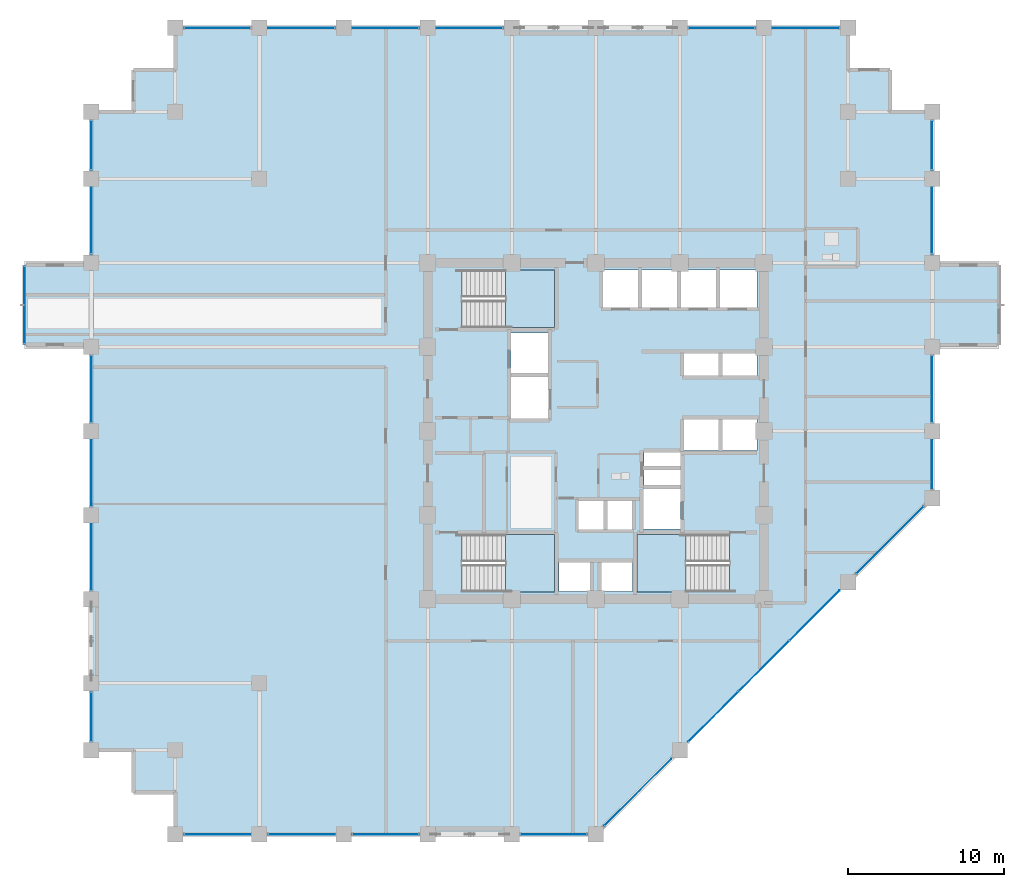
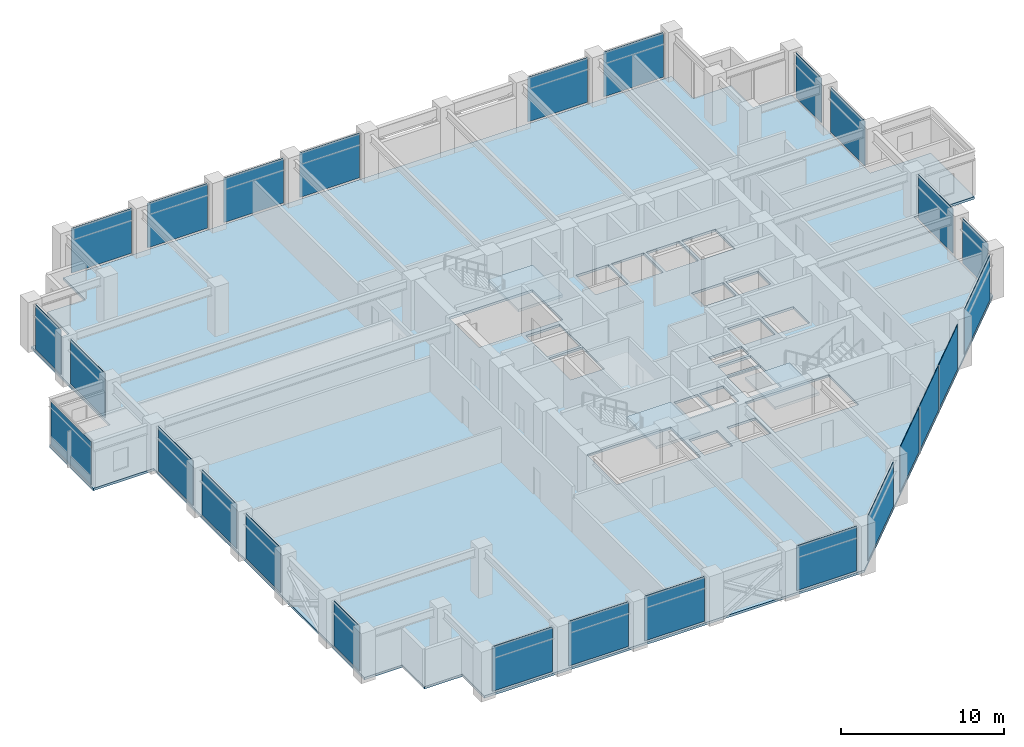
# One storey, part 20 of 29: 26 plates, 4 slabs, 14 elements without a shape of their own.
"""IFC4 building model written with IfcOpenShell, lengths in metres."""

from ifc_helpers import new_model, si_unit, direction, frame, frame_2d, origin, place, context, subcontext, project, spatial, polyline, rectangle, outline, extrude, material, layer, layer_set, type_object, element, aggregate, save


model = new_model("IFC4")

# Units and contexts
model_context = context("Model", 3, precision=1e-05, world=origin(), true_north=direction((0.0, 1.0)))
body_context = subcontext(model_context, "Body", "Model", "MODEL_VIEW")
ifc_project = project(units=[si_unit("LENGTHUNIT", "METRE"), si_unit("AREAUNIT", "SQUARE_METRE"), si_unit("VOLUMEUNIT", "CUBIC_METRE"), si_unit("PLANEANGLEUNIT", "RADIAN"), si_unit("MASSUNIT", "GRAM", prefix="KILO")], contexts=[model_context])

# Site, building, storey
site_placement = place(None, origin())
site = spatial("IfcSite", under=ifc_project, at=site_placement, CompositionType="ELEMENT")
building_placement = place(site_placement, origin())
building = spatial("IfcBuilding", under=site, at=building_placement, Name="Surkhivell Harbour Commons", CompositionType="ELEMENT")
storey_placement = place(building_placement, frame((0.0, 0.0, 158.25)))
storey = spatial("IfcBuildingStorey", under=building, at=storey_placement, Name="L41", CompositionType="ELEMENT", Elevation=158.25)

# Curtain wall, plate
ifc_material_1 = material(Name="Anodised pale-metal aluminium and insulated glazing", Category="aluminium")
ifc_layer_1 = layer(ifc_material_1, 0.1650390625)
ifc_layer_set_1 = layer_set([ifc_layer_1], Name="Anodised pale-metal aluminium and insulated glazing")
curtain_wall_type_1 = type_object("IfcCurtainWallType", Name="CW-SYS-BOX", PredefinedType="NOTDEFINED", material=ifc_layer_set_1)
curtain_wall_1_placement = place(storey_placement, origin())
curtain_wall_1 = element("IfcCurtainWall", 1, at=curtain_wall_1_placement, inside=storey, type_object=curtain_wall_type_1, Name="L41 Curtain Wall CW-L41-BOX02", PredefinedType="NOTDEFINED")
ifc_material_2 = material(Name="Triple-glazed bay-cluster vision glass", Category="glass")
ifc_layer_2 = layer(ifc_material_2, 0.028076171875)
ifc_layer_set_2 = layer_set([ifc_layer_2], Name="Triple-glazed bay-cluster vision glass")
plate_type_1 = type_object("IfcPlateType", Name="CWP-GLZ-28", PredefinedType="CURTAIN_PANEL", material=ifc_layer_set_2)
plate_1_placement = place(storey_placement, frame((-36.699951171875, 5.6201171875, 0.1298828125), z_axis=(0.0, 0.0, 1.0), x_axis=(0.0, 1.0, 0.0)))
plate_1 = element("IfcPlate", 2, at=plate_1_placement, type_object=plate_type_1, Name="CW-BOX panel 1.1", PredefinedType="CURTAIN_PANEL", context=body_context, shape_type="SweptSolid", body=[
    extrude(rectangle(XDim=4.9599609375, YDim=0.028076171875, at=frame_2d((2.47998046875, 0.0))), origin(), (0.0, 0.0, 1.0), 3.240234375),
])
aggregate(curtain_wall_1, [plate_1])

# Curtain wall, plates
ifc_layer_3 = layer(ifc_material_1, 0.205078125)
ifc_layer_set_3 = layer_set([ifc_layer_3], Name="Anodised pale-metal aluminium and insulated glazing")
curtain_wall_type_2 = type_object("IfcCurtainWallType", Name="CW-SYS-Z2", PredefinedType="NOTDEFINED", material=ifc_layer_set_3)
curtain_wall_2_placement = place(storey_placement, origin())
curtain_wall_2 = element("IfcCurtainWall", 3, at=curtain_wall_2_placement, inside=storey, type_object=curtain_wall_type_2, Name="L41 Curtain Wall CW-L41-E00S1", PredefinedType="NOTDEFINED")
ifc_material_3 = material(Name="High-pressure typhoon laminated vision glass", Category="glass")
ifc_layer_4 = layer(ifc_material_3, 0.035888671875)
ifc_layer_set_4 = layer_set([ifc_layer_4], Name="High-pressure typhoon laminated vision glass")
plate_type_2 = type_object("IfcPlateType", Name="CWP-GLZ-36", PredefinedType="CURTAIN_PANEL", material=ifc_layer_set_4)
plate_2_placement = place(storey_placement, frame((-26.423095703125, -25.89990234375, 0.14990234375), z_axis=(0.0, 0.0, 1.0), x_axis=(1.0, 0.0, 0.0)))
plate_2 = element("IfcPlate", 4, at=plate_2_placement, type_object=plate_type_2, Name="CW-Z2 panel 1.1", PredefinedType="CURTAIN_PANEL", context=body_context, shape_type="SweptSolid", body=[
    extrude(rectangle(XDim=4.24609375, YDim=0.035888671875, at=frame_2d((2.123046875, 0.0))), origin(), (0.0, 0.0, 1.0), 3.35009765625),
])
plate_3_placement = place(storey_placement, frame((-21.02294921875, -25.89990234375, 0.14990234375), z_axis=(0.0, 0.0, 1.0), x_axis=(1.0, 0.0, 0.0)))
plate_3 = element("IfcPlate", 5, at=plate_3_placement, type_object=plate_type_2, Name="CW-Z2 panel 2.1", PredefinedType="CURTAIN_PANEL", context=body_context, shape_type="SweptSolid", body=[
    extrude(rectangle(XDim=4.245849609375, YDim=0.035888671875, at=frame_2d((2.123046875, 0.0))), origin(), (0.0, 0.0, 1.0), 3.35009765625),
])
plate_4_placement = place(storey_placement, frame((-15.623046875, -25.89990234375, 0.14990234375), z_axis=(0.0, 0.0, 1.0), x_axis=(1.0, 0.0, 0.0)))
plate_4 = element("IfcPlate", 6, at=plate_4_placement, type_object=plate_type_2, Name="CW-Z2 panel 3.1", PredefinedType="CURTAIN_PANEL", context=body_context, shape_type="SweptSolid", body=[
    extrude(rectangle(XDim=4.24609375, YDim=0.035888671875, at=frame_2d((2.123046875, 0.0))), origin(), (0.0, 0.0, 1.0), 3.35009765625),
])
aggregate(curtain_wall_2, [plate_2, plate_3, plate_4])

# Curtain wall, plate
curtain_wall_3_placement = place(storey_placement, origin())
curtain_wall_3 = element("IfcCurtainWall", 7, at=curtain_wall_3_placement, inside=storey, type_object=curtain_wall_type_2, Name="L41 Curtain Wall CW-L41-E00S2", PredefinedType="NOTDEFINED")
plate_5_placement = place(storey_placement, frame((-4.822998046875, -25.89990234375, 0.14990234375), z_axis=(0.0, 0.0, 1.0), x_axis=(1.0, 0.0, 0.0)))
plate_5 = element("IfcPlate", 8, at=plate_5_placement, type_object=plate_type_2, Name="CW-Z2 panel 1.1", PredefinedType="CURTAIN_PANEL", context=body_context, shape_type="SweptSolid", body=[
    extrude(rectangle(XDim=4.24609375, YDim=0.035888671875, at=frame_2d((2.123046875, 0.0))), origin(), (0.0, 0.0, 1.0), 3.35009765625),
])
aggregate(curtain_wall_3, [plate_5])

# Curtain wall, plates
curtain_wall_4_placement = place(storey_placement, origin())
curtain_wall_4 = element("IfcCurtainWall", 9, at=curtain_wall_4_placement, inside=storey, type_object=curtain_wall_type_2, Name="L41 Curtain Wall CW-L41-E01", PredefinedType="NOTDEFINED")
plate_6_placement = place(storey_placement, frame((0.5546875, -25.34521484375, 0.14990234375), z_axis=(0.0, 0.0, 1.0), x_axis=(0.707106781187, 0.707106781187, 0.0)))
plate_6 = element("IfcPlate", 10, at=plate_6_placement, type_object=plate_type_2, Name="CW-Z2 panel 1.1", PredefinedType="CURTAIN_PANEL", context=body_context, shape_type="SweptSolid", body=[
    extrude(rectangle(XDim=6.067626953125, YDim=0.035888671875, at=frame_2d((3.03369140625, 0.0))), origin(), (0.0, 0.0, 1.0), 3.35009765625),
])
plate_7_placement = place(storey_placement, frame((5.954833984375, -19.9453125, 0.14990234375), z_axis=(0.0, 0.0, 1.0), x_axis=(0.707079687416, 0.707133873919, 0.0)))
plate_7 = element("IfcPlate", 11, at=plate_7_placement, type_object=plate_type_2, Name="CW-Z2 panel 2.1", PredefinedType="CURTAIN_PANEL", context=body_context, shape_type="SweptSolid", body=[
    extrude(rectangle(XDim=4.505615234375, YDim=0.035888671875, at=frame_2d((2.2529296875, 0.0))), origin(), (0.0, 0.0, 1.0), 3.35009765625),
])
plate_8_placement = place(storey_placement, frame((9.19384765625, -16.706298828125, 0.14990234375), z_axis=(0.0, 0.0, 1.0), x_axis=(0.707079911854, 0.707133649498, 0.0)))
plate_8 = element("IfcPlate", 12, at=plate_8_placement, type_object=plate_type_2, Name="CW-Z2 panel 3.1", PredefinedType="CURTAIN_PANEL", context=body_context, shape_type="SweptSolid", body=[
    extrude(rectangle(XDim=4.543212890625, YDim=0.035888671875, at=frame_2d((2.271484375, 0.0))), origin(), (0.0, 0.0, 1.0), 3.35009765625),
])
plate_9_placement = place(storey_placement, frame((12.459228515625, -13.440673828125, 0.14990234375), z_axis=(0.0, 0.0, 1.0), x_axis=(0.707106781187, 0.707106781187, 0.0)))
plate_9 = element("IfcPlate", 13, at=plate_9_placement, type_object=plate_type_2, Name="CW-Z2 panel 4.1", PredefinedType="CURTAIN_PANEL", context=body_context, shape_type="SweptSolid", body=[
    extrude(rectangle(XDim=4.505615234375, YDim=0.035888671875, at=frame_2d((2.2529296875, 0.0))), origin(), (0.0, 0.0, 1.0), 3.35009765625),
])
plate_10_placement = place(storey_placement, frame((16.754638671875, -9.145263671875, 0.14990234375), z_axis=(0.0, 0.0, 1.0), x_axis=(0.707106781187, 0.707106781187, 0.0)))
plate_10 = element("IfcPlate", 14, at=plate_10_placement, type_object=plate_type_2, Name="CW-Z2 panel 5.1", PredefinedType="CURTAIN_PANEL", context=body_context, shape_type="SweptSolid", body=[
    extrude(rectangle(XDim=6.067626953125, YDim=0.035888671875, at=frame_2d((3.03369140625, 0.0))), origin(), (0.0, 0.0, 1.0), 3.35009765625),
])
aggregate(curtain_wall_4, [plate_6, plate_7, plate_8, plate_9, plate_10])

curtain_wall_5_placement = place(storey_placement, origin())
curtain_wall_5 = element("IfcCurtainWall", 15, at=curtain_wall_5_placement, inside=storey, type_object=curtain_wall_type_2, Name="L41 Curtain Wall CW-L41-E02R1", PredefinedType="NOTDEFINED")
plate_11_placement = place(storey_placement, frame((21.60009765625, -3.722900390625, 0.14990234375), z_axis=(0.0, 0.0, 1.0), x_axis=(0.0, 1.0, 0.0)))
plate_11 = element("IfcPlate", 16, at=plate_11_placement, type_object=plate_type_2, Name="CW-Z2 panel 1.1", PredefinedType="CURTAIN_PANEL", context=body_context, shape_type="SweptSolid", body=[
    extrude(rectangle(XDim=3.14599609375, YDim=0.035888671875, at=frame_2d((1.572998046875, 0.0))), origin(), (0.0, 0.0, 1.0), 3.35009765625),
])
plate_12_placement = place(storey_placement, frame((21.60009765625, 0.576904296875, 0.14990234375), z_axis=(0.0, 0.0, 1.0), x_axis=(0.0, 1.0, 0.0)))
plate_12 = element("IfcPlate", 17, at=plate_12_placement, type_object=plate_type_2, Name="CW-Z2 panel 2.1", PredefinedType="CURTAIN_PANEL", context=body_context, shape_type="SweptSolid", body=[
    extrude(rectangle(XDim=4.24609375, YDim=0.035888671875, at=frame_2d((2.123046875, 0.0))), origin(), (0.0, 0.0, 1.0), 3.35009765625),
])
aggregate(curtain_wall_5, [plate_11, plate_12])

curtain_wall_6_placement = place(storey_placement, origin())
curtain_wall_6 = element("IfcCurtainWall", 18, at=curtain_wall_6_placement, inside=storey, type_object=curtain_wall_type_2, Name="L41 Curtain Wall CW-L41-E02R2", PredefinedType="NOTDEFINED")
plate_13_placement = place(storey_placement, frame((21.60009765625, 11.376953125, 0.14990234375), z_axis=(0.0, 0.0, 1.0), x_axis=(0.0, 1.0, 0.0)))
plate_13 = element("IfcPlate", 19, at=plate_13_placement, type_object=plate_type_2, Name="CW-Z2 panel 1.1", PredefinedType="CURTAIN_PANEL", context=body_context, shape_type="SweptSolid", body=[
    extrude(rectangle(XDim=4.24609375, YDim=0.035888671875, at=frame_2d((2.123046875, 0.0))), origin(), (0.0, 0.0, 1.0), 3.35009765625),
])
plate_14_placement = place(storey_placement, frame((21.60009765625, 16.777099609375, 0.14990234375), z_axis=(0.0, 0.0, 1.0), x_axis=(0.0, 1.0, 0.0)))
plate_14 = element("IfcPlate", 20, at=plate_14_placement, type_object=plate_type_2, Name="CW-Z2 panel 2.1", PredefinedType="CURTAIN_PANEL", context=body_context, shape_type="SweptSolid", body=[
    extrude(rectangle(XDim=3.14599609375, YDim=0.035888671875, at=frame_2d((1.572998046875, 0.0))), origin(), (0.0, 0.0, 1.0), 3.35009765625),
])
aggregate(curtain_wall_6, [plate_13, plate_14])

curtain_wall_7_placement = place(storey_placement, origin())
curtain_wall_7 = element("IfcCurtainWall", 21, at=curtain_wall_7_placement, inside=storey, type_object=curtain_wall_type_2, Name="L41 Curtain Wall CW-L41-E07S1", PredefinedType="NOTDEFINED")
plate_15_placement = place(storey_placement, frame((15.623046875, 25.89990234375, 0.14990234375), z_axis=(0.0, 0.0, 1.0), x_axis=(-1.0, 0.0, 0.0)))
plate_15 = element("IfcPlate", 22, at=plate_15_placement, type_object=plate_type_2, Name="CW-Z2 panel 1.1", PredefinedType="CURTAIN_PANEL", context=body_context, shape_type="SweptSolid", body=[
    extrude(rectangle(XDim=4.24609375, YDim=0.035888671875, at=frame_2d((2.123046875, 0.0))), origin(), (0.0, 0.0, 1.0), 3.35009765625),
])
plate_16_placement = place(storey_placement, frame((10.222900390625, 25.89990234375, 0.14990234375), z_axis=(0.0, 0.0, 1.0), x_axis=(-1.0, 0.0, 0.0)))
plate_16 = element("IfcPlate", 23, at=plate_16_placement, type_object=plate_type_2, Name="CW-Z2 panel 2.1", PredefinedType="CURTAIN_PANEL", context=body_context, shape_type="SweptSolid", body=[
    extrude(rectangle(XDim=4.245849609375, YDim=0.035888671875, at=frame_2d((2.123046875, 0.0))), origin(), (0.0, 0.0, 1.0), 3.35009765625),
])
aggregate(curtain_wall_7, [plate_15, plate_16])

curtain_wall_8_placement = place(storey_placement, origin())
curtain_wall_8 = element("IfcCurtainWall", 24, at=curtain_wall_8_placement, inside=storey, type_object=curtain_wall_type_2, Name="L41 Curtain Wall CW-L41-E07S2", PredefinedType="NOTDEFINED")
plate_17_placement = place(storey_placement, frame((-5.97705078125, 25.89990234375, 0.14990234375), z_axis=(0.0, 0.0, 1.0), x_axis=(-1.0, 0.0, 0.0)))
plate_17 = element("IfcPlate", 25, at=plate_17_placement, type_object=plate_type_2, Name="CW-Z2 panel 1.1", PredefinedType="CURTAIN_PANEL", context=body_context, shape_type="SweptSolid", body=[
    extrude(rectangle(XDim=4.245849609375, YDim=0.035888671875, at=frame_2d((2.123046875, 0.0))), origin(), (0.0, 0.0, 1.0), 3.35009765625),
])
plate_18_placement = place(storey_placement, frame((-11.376953125, 25.89990234375, 0.14990234375), z_axis=(0.0, 0.0, 1.0), x_axis=(-1.0, 0.0, 0.0)))
plate_18 = element("IfcPlate", 26, at=plate_18_placement, type_object=plate_type_2, Name="CW-Z2 panel 2.1", PredefinedType="CURTAIN_PANEL", context=body_context, shape_type="SweptSolid", body=[
    extrude(rectangle(XDim=4.24609375, YDim=0.035888671875, at=frame_2d((2.123046875, 0.0))), origin(), (0.0, 0.0, 1.0), 3.35009765625),
])
plate_19_placement = place(storey_placement, frame((-16.777099609375, 25.89990234375, 0.14990234375), z_axis=(0.0, 0.0, 1.0), x_axis=(-1.0, 0.0, 0.0)))
plate_19 = element("IfcPlate", 27, at=plate_19_placement, type_object=plate_type_2, Name="CW-Z2 panel 3.1", PredefinedType="CURTAIN_PANEL", context=body_context, shape_type="SweptSolid", body=[
    extrude(rectangle(XDim=4.245849609375, YDim=0.035888671875, at=frame_2d((2.123046875, 0.0))), origin(), (0.0, 0.0, 1.0), 3.35009765625),
])
plate_20_placement = place(storey_placement, frame((-22.177001953125, 25.89990234375, 0.14990234375), z_axis=(0.0, 0.0, 1.0), x_axis=(-1.0, 0.0, 0.0)))
plate_20 = element("IfcPlate", 28, at=plate_20_placement, type_object=plate_type_2, Name="CW-Z2 panel 4.1", PredefinedType="CURTAIN_PANEL", context=body_context, shape_type="SweptSolid", body=[
    extrude(rectangle(XDim=4.24609375, YDim=0.035888671875, at=frame_2d((2.123046875, 0.0))), origin(), (0.0, 0.0, 1.0), 3.35009765625),
])
aggregate(curtain_wall_8, [plate_17, plate_18, plate_19, plate_20])

# Curtain wall, plate
curtain_wall_9_placement = place(storey_placement, origin())
curtain_wall_9 = element("IfcCurtainWall", 29, at=curtain_wall_9_placement, inside=storey, type_object=curtain_wall_type_2, Name="L41 Curtain Wall CW-L41-E12R1S1", PredefinedType="NOTDEFINED")
plate_21_placement = place(storey_placement, frame((-32.39990234375, -19.923095703125, 0.14990234375), z_axis=(0.0, 0.0, 1.0), x_axis=(0.0, 1.0, 0.0)))
plate_21 = element("IfcPlate", 30, at=plate_21_placement, type_object=plate_type_2, Name="CW-Z2 panel 1.1", PredefinedType="CURTAIN_PANEL", context=body_context, shape_type="SweptSolid", body=[
    extrude(rectangle(XDim=3.14599609375, YDim=0.035888671875, at=frame_2d((1.572998046875, 0.0))), origin(), (0.0, 0.0, 1.0), 3.35009765625),
])
aggregate(curtain_wall_9, [plate_21])

# Curtain wall, plates
curtain_wall_10_placement = place(storey_placement, origin())
curtain_wall_10 = element("IfcCurtainWall", 31, at=curtain_wall_10_placement, inside=storey, type_object=curtain_wall_type_2, Name="L41 Curtain Wall CW-L41-E12R1S2", PredefinedType="NOTDEFINED")
plate_22_placement = place(storey_placement, frame((-32.39990234375, -10.222900390625, 0.14990234375), z_axis=(0.0, 0.0, 1.0), x_axis=(0.0, 1.0, 0.0)))
plate_22 = element("IfcPlate", 32, at=plate_22_placement, type_object=plate_type_2, Name="CW-Z2 panel 1.1", PredefinedType="CURTAIN_PANEL", context=body_context, shape_type="SweptSolid", body=[
    extrude(rectangle(XDim=4.245849609375, YDim=0.035888671875, at=frame_2d((2.123046875, 0.0))), origin(), (0.0, 0.0, 1.0), 3.35009765625),
])
plate_23_placement = place(storey_placement, frame((-32.39990234375, -4.822998046875, 0.14990234375), z_axis=(0.0, 0.0, 1.0), x_axis=(0.0, 1.0, 0.0)))
plate_23 = element("IfcPlate", 33, at=plate_23_placement, type_object=plate_type_2, Name="CW-Z2 panel 2.1", PredefinedType="CURTAIN_PANEL", context=body_context, shape_type="SweptSolid", body=[
    extrude(rectangle(XDim=4.24609375, YDim=0.035888671875, at=frame_2d((2.123046875, 0.0))), origin(), (0.0, 0.0, 1.0), 3.35009765625),
])
plate_24_placement = place(storey_placement, frame((-32.39990234375, 0.576904296875, 0.14990234375), z_axis=(0.0, 0.0, 1.0), x_axis=(0.0, 1.0, 0.0)))
plate_24 = element("IfcPlate", 34, at=plate_24_placement, type_object=plate_type_2, Name="CW-Z2 panel 3.1", PredefinedType="CURTAIN_PANEL", context=body_context, shape_type="SweptSolid", body=[
    extrude(rectangle(XDim=4.24609375, YDim=0.035888671875, at=frame_2d((2.123046875, 0.0))), origin(), (0.0, 0.0, 1.0), 3.35009765625),
])
aggregate(curtain_wall_10, [plate_22, plate_23, plate_24])

curtain_wall_11_placement = place(storey_placement, origin())
curtain_wall_11 = element("IfcCurtainWall", 35, at=curtain_wall_11_placement, inside=storey, type_object=curtain_wall_type_2, Name="L41 Curtain Wall CW-L41-E12R2", PredefinedType="NOTDEFINED")
plate_25_placement = place(storey_placement, frame((-32.39990234375, 11.376953125, 0.14990234375), z_axis=(0.0, 0.0, 1.0), x_axis=(0.0, 1.0, 0.0)))
plate_25 = element("IfcPlate", 36, at=plate_25_placement, type_object=plate_type_2, Name="CW-Z2 panel 1.1", PredefinedType="CURTAIN_PANEL", context=body_context, shape_type="SweptSolid", body=[
    extrude(rectangle(XDim=4.24609375, YDim=0.035888671875, at=frame_2d((2.123046875, 0.0))), origin(), (0.0, 0.0, 1.0), 3.35009765625),
])
plate_26_placement = place(storey_placement, frame((-32.39990234375, 16.777099609375, 0.14990234375), z_axis=(0.0, 0.0, 1.0), x_axis=(0.0, 1.0, 0.0)))
plate_26 = element("IfcPlate", 37, at=plate_26_placement, type_object=plate_type_2, Name="CW-Z2 panel 2.1", PredefinedType="CURTAIN_PANEL", context=body_context, shape_type="SweptSolid", body=[
    extrude(rectangle(XDim=3.14599609375, YDim=0.035888671875, at=frame_2d((1.572998046875, 0.0))), origin(), (0.0, 0.0, 1.0), 3.35009765625),
])
aggregate(curtain_wall_11, [plate_25, plate_26])

# Stair, slab
ifc_material_4 = material(Name="Precast concrete C45/55", Category="concrete")
stair_type = type_object("IfcStairType", Name="STR-DL-375", PredefinedType="HALF_TURN_STAIR", material=ifc_material_4)
stair_1_placement = place(storey_placement, origin())
stair_1 = element("IfcStair", 38, at=stair_1_placement, inside=storey, type_object=stair_type, Name="L41 Core Exit Stair ST1", PredefinedType="HALF_TURN_STAIR")
ifc_material_5 = material(Name="Reinforced concrete C45/55", Category="concrete")
ifc_layer_5 = layer(ifc_material_5, 0.199951171875)
ifc_layer_set_5 = layer_set([ifc_layer_5], Name="Reinforced concrete C45/55")
slab_type_1 = type_object("IfcSlabType", Name="SLB-ST-LND200", PredefinedType="LANDING", material=ifc_layer_set_5)
slab_1_placement = place(storey_placement, frame((0.0, 0.0, 1.675048828125)))
slab_1 = element("IfcSlab", 39, at=slab_1_placement, type_object=slab_type_1, Name="ST1 landing 1", PredefinedType="LANDING", context=body_context, shape_type="SweptSolid", body=[
    extrude(outline(polyline([(-5.7900390625, 6.639892578125), (-2.639892578125, 6.639892578125), (-2.639892578125, 10.340087890625), (-5.7900390625, 10.340087890625), (-5.7900390625, 6.639892578125)])), origin(), (0.0, 0.0, 1.0), 0.199951171875),
])
aggregate(stair_1, [slab_1])

stair_2_placement = place(storey_placement, origin())
stair_2 = element("IfcStair", 40, at=stair_2_placement, inside=storey, type_object=stair_type, Name="L41 Core Exit Stair ST2", PredefinedType="HALF_TURN_STAIR")
slab_2_placement = place(storey_placement, frame((0.0, 0.0, 1.675048828125)))
slab_2 = element("IfcSlab", 41, at=slab_2_placement, type_object=slab_type_1, Name="ST2 landing 1", PredefinedType="LANDING", context=body_context, shape_type="SweptSolid", body=[
    extrude(outline(polyline([(5.7900390625, -6.639892578125), (2.639892578125, -6.639892578125), (2.639892578125, -10.340087890625), (5.7900390625, -10.340087890625), (5.7900390625, -6.639892578125)])), origin(), (0.0, 0.0, 1.0), 0.199951171875),
])
aggregate(stair_2, [slab_2])

stair_3_placement = place(storey_placement, origin())
stair_3 = element("IfcStair", 42, at=stair_3_placement, inside=storey, type_object=stair_type, Name="L41 Core Exit Stair ST3", PredefinedType="HALF_TURN_STAIR")
slab_3_placement = place(storey_placement, frame((0.0, 0.0, 1.675048828125)))
slab_3 = element("IfcSlab", 43, at=slab_3_placement, type_object=slab_type_1, Name="ST3 landing 1", PredefinedType="LANDING", context=body_context, shape_type="SweptSolid", body=[
    extrude(outline(polyline([(-5.7900390625, -10.340087890625), (-2.639892578125, -10.340087890625), (-2.639892578125, -6.639892578125), (-5.7900390625, -6.639892578125), (-5.7900390625, -10.340087890625)])), origin(), (0.0, 0.0, 1.0), 0.199951171875),
])
aggregate(stair_3, [slab_3])

# Slab
ifc_material_6 = material(Name="Concrete C45/55", Category="concrete")
ifc_layer_6 = layer(ifc_material_6, 0.179931640625)
ifc_layer_set_6 = layer_set([ifc_layer_6], Name="Concrete C45/55")
slab_type_2 = type_object("IfcSlabType", Name="SLB-TYP-180", PredefinedType="FLOOR", material=ifc_layer_set_6)
slab_4_placement = place(storey_placement, frame((0.0, 0.0, -0.179931640625)))
element("IfcSlab", 44, at=slab_4_placement, inside=storey, type_object=slab_type_2, Name="L41 Structural Floor Slab", PredefinedType="FLOOR", context=body_context, shape_type="SweptSolid", body=[
    extrude(outline(polyline([(-32.39990234375, 20.5), (-32.39990234375, 10.800048828125), (-36.699951171875, 10.800048828125), (-36.699951171875, 5.39990234375), (-32.39990234375, 5.39990234375), (-32.39990234375, -20.5), (-29.699951171875, -20.5), (-29.699951171875, -23.199951171875), (-27.0, -23.199951171875), (-27.0, -25.89990234375), (0.0, -25.89990234375), (21.60009765625, -4.300048828125), (21.60009765625, 5.39990234375), (25.89990234375, 5.39990234375), (25.89990234375, 10.800048828125), (21.60009765625, 10.800048828125), (21.60009765625, 20.5), (18.89990234375, 20.5), (18.89990234375, 23.199951171875), (16.199951171875, 23.199951171875), (16.199951171875, 25.89990234375), (-27.0, 25.89990234375), (-27.0, 23.199951171875), (-29.699951171875, 23.199951171875), (-29.699951171875, 20.5), (-32.39990234375, 20.5)]), holes=[polyline([(-8.590087890625, 6.639892578125), (-2.639892578125, 6.639892578125), (-2.639892578125, 10.340087890625), (-8.590087890625, 10.340087890625), (-8.590087890625, 6.639892578125)]), polyline([(8.590087890625, -6.639892578125), (2.639892578125, -6.639892578125), (2.639892578125, -10.340087890625), (8.590087890625, -10.340087890625), (8.590087890625, -6.639892578125)]), polyline([(-8.590087890625, -10.340087890625), (-2.639892578125, -10.340087890625), (-2.639892578125, -6.639892578125), (-8.590087890625, -6.639892578125), (-8.590087890625, -10.340087890625)]), polyline([(0.449951171875, 7.949951171875), (2.75, 7.949951171875), (2.75, 10.35009765625), (0.449951171875, 10.35009765625), (0.449951171875, 7.949951171875)]), polyline([(2.949951171875, 7.949951171875), (5.25, 7.949951171875), (5.25, 10.35009765625), (2.949951171875, 10.35009765625), (2.949951171875, 7.949951171875)]), polyline([(5.449951171875, 7.949951171875), (7.75, 7.949951171875), (7.75, 10.35009765625), (5.449951171875, 10.35009765625), (5.449951171875, 7.949951171875)]), polyline([(7.949951171875, 7.949951171875), (10.35009765625, 7.949951171875), (10.35009765625, 10.35009765625), (7.949951171875, 10.35009765625), (7.949951171875, 7.949951171875)]), polyline([(5.64990234375, 3.550048828125), (7.89990234375, 3.550048828125), (7.89990234375, 5.14990234375), (5.64990234375, 5.14990234375), (5.64990234375, 3.550048828125)]), polyline([(8.10009765625, 3.550048828125), (10.35009765625, 3.550048828125), (10.35009765625, 5.14990234375), (8.10009765625, 5.14990234375), (8.10009765625, 3.550048828125)]), polyline([(5.64990234375, -1.25), (7.89990234375, -1.25), (7.89990234375, 0.75), (5.64990234375, 0.75), (5.64990234375, -1.25)]), polyline([(8.10009765625, -1.25), (10.35009765625, -1.25), (10.35009765625, 0.75), (8.10009765625, 0.75), (8.10009765625, -1.25)]), polyline([(-1.14990234375, -6.35009765625), (0.550048828125, -6.35009765625), (0.550048828125, -4.449951171875), (-1.14990234375, -4.449951171875), (-1.14990234375, -6.35009765625)]), polyline([(0.679931640625, -6.35009765625), (2.3798828125, -6.35009765625), (2.3798828125, -4.449951171875), (0.679931640625, -4.449951171875), (0.679931640625, -6.35009765625)]), polyline([(-2.35009765625, -10.300048828125), (-0.35009765625, -10.300048828125), (-0.35009765625, -8.39990234375), (-2.35009765625, -8.39990234375), (-2.35009765625, -10.300048828125)]), polyline([(0.35009765625, -10.300048828125), (2.35009765625, -10.300048828125), (2.35009765625, -8.39990234375), (0.35009765625, -8.39990234375), (0.35009765625, -10.300048828125)]), polyline([(-5.449951171875, 3.699951171875), (-3.050048828125, 3.699951171875), (-3.050048828125, 6.300048828125), (-5.449951171875, 6.300048828125), (-5.449951171875, 3.699951171875)]), polyline([(3.050048828125, -6.300048828125), (5.449951171875, -6.300048828125), (5.449951171875, -3.699951171875), (3.050048828125, -3.699951171875), (3.050048828125, -6.300048828125)]), polyline([(-5.449951171875, 0.800048828125), (-3.050048828125, 0.800048828125), (-3.050048828125, 3.5), (-5.449951171875, 3.5), (-5.449951171875, 0.800048828125)]), polyline([(3.10009765625, -3.550048828125), (5.449951171875, -3.550048828125), (5.449951171875, -2.47998046875), (3.10009765625, -2.47998046875), (3.10009765625, -3.550048828125)]), polyline([(3.10009765625, -2.280029296875), (5.449951171875, -2.280029296875), (5.449951171875, -1.35009765625), (3.10009765625, -1.35009765625), (3.10009765625, -2.280029296875)])]), origin(), (0.0, 0.0, 1.0), 0.179931640625),
])

save(model, "model.ifc")
